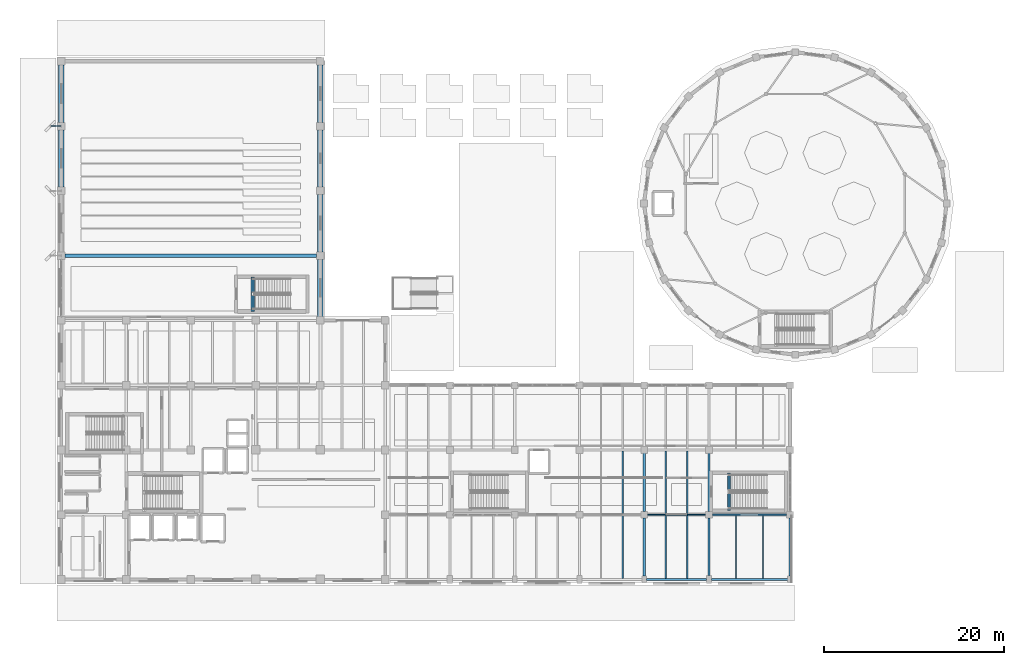
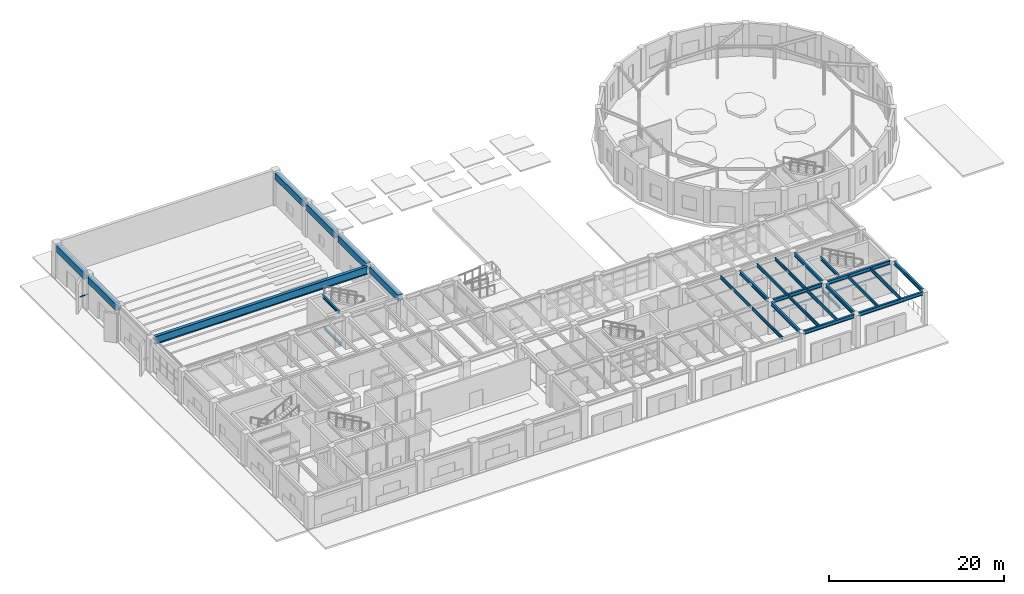
# One storey, part 15 of 39: 30 beams, 1 member.
"""IFC4 building model written with IfcOpenShell, lengths in metres."""

from ifc_helpers import new_model, si_unit, direction, frame, origin, origin_2d, place, context, subcontext, project, spatial, rectangle, hollow_rectangle, i_section, extrude, material, material_profile, profile_set, type_object, element, save


model = new_model("IFC4")

# Units and contexts
model_context = context("Model", 3, precision=1e-05, world=origin(), true_north=direction((0.0, 1.0)))
body_context = subcontext(model_context, "Body", "Model", "MODEL_VIEW")
ifc_project = project(units=[si_unit("LENGTHUNIT", "METRE"), si_unit("AREAUNIT", "SQUARE_METRE"), si_unit("VOLUMEUNIT", "CUBIC_METRE"), si_unit("PLANEANGLEUNIT", "RADIAN"), si_unit("MASSUNIT", "GRAM", prefix="KILO")], contexts=[model_context])

# Site, building, storey
site_placement = place(None, origin())
site = spatial("IfcSite", under=ifc_project, at=site_placement, CompositionType="ELEMENT")
building_placement = place(site_placement, origin())
building = spatial("IfcBuilding", under=site, at=building_placement, Name="Kandorven Conservatory and Botanical Research Centre", CompositionType="ELEMENT")
storey_placement = place(building_placement, origin())
storey = spatial("IfcBuildingStorey", under=building, at=storey_placement, Name="L00", CompositionType="ELEMENT", Elevation=0.0)

# Beams
ifc_material_1 = material(Name="Concrete C40/50 (M50)", Category="concrete")
ifc_material_profile_1 = material_profile(ifc_material_1, rectangle(XDim=0.60009765625, YDim=0.89990234375, at=origin_2d()))
ifc_profile_set_1 = profile_set([ifc_material_profile_1], Name="Concrete C40/50 (M50)")
beam_type_1 = type_object("IfcBeamType", Name="Beam_CG-03", PredefinedType="SPANDREL", material=ifc_profile_set_1)
for number, where, z_axis, x_axis, name in (
    (1, (6.0, 49.614990234375, 4.10009765625), (0.0, 1.0, 0.0), (-1.0, 0.0, 0.0), "Auditorium longitudinal edge beam CG-03 L00"),
    (2, (6.0, 56.81494140625, 4.10009765625), (0.0, 1.0, 0.0), (-1.0, 0.0, 0.0), "Auditorium longitudinal edge beam CG-03 L00"),
):
    element("IfcBeam", number, at=place(storey_placement, frame(where, z_axis=z_axis, x_axis=x_axis)), inside=storey, type_object=beam_type_1, Name=name, PredefinedType="SPANDREL", context=body_context, shape_type="SweptSolid", body=[
        extrude(rectangle(XDim=0.60009765625, YDim=0.89990234375, at=origin_2d()), origin(), (0.0, 0.0, 1.0), 6.3701171875),
    ])
beam_1_placement = place(storey_placement, frame((34.800048828125, 35.159912109375, 4.10009765625), z_axis=(0.0, 1.0, 0.0), x_axis=(-1.0, 0.0, 0.0)))
element("IfcBeam", 3, at=beam_1_placement, inside=storey, type_object=beam_type_1, Name="Auditorium longitudinal edge beam CG-03 L00", PredefinedType="SPANDREL", context=body_context, shape_type="SweptSolid", body=[
    extrude(rectangle(XDim=0.60009765625, YDim=0.89990234375, at=origin_2d()), origin(), (0.0, 0.0, 1.0), 6.425048828125),
])
beam_2_placement = place(storey_placement, frame((34.800048828125, 42.4150390625, 4.10009765625), z_axis=(0.0, 1.0, 0.0), x_axis=(-1.0, 0.0, 0.0)))
element("IfcBeam", 4, at=beam_2_placement, inside=storey, type_object=beam_type_1, Name="Auditorium longitudinal edge beam CG-03 L00", PredefinedType="SPANDREL", context=body_context, shape_type="SweptSolid", body=[
    extrude(rectangle(XDim=0.60009765625, YDim=0.89990234375, at=origin_2d()), origin(), (0.0, 0.0, 1.0), 6.369873046875),
])
for number, where, z_axis, x_axis, name in (
    (5, (34.800048828125, 49.614990234375, 4.10009765625), (0.0, 1.0, 0.0), (-1.0, 0.0, 0.0), "Auditorium longitudinal edge beam CG-03 L00"),
    (6, (34.800048828125, 56.81494140625, 4.10009765625), (0.0, 1.0, 0.0), (-1.0, 0.0, 0.0), "Auditorium longitudinal edge beam CG-03 L00"),
):
    element("IfcBeam", number, at=place(storey_placement, frame(where, z_axis=z_axis, x_axis=x_axis)), inside=storey, type_object=beam_type_1, Name=name, PredefinedType="SPANDREL", context=body_context, shape_type="SweptSolid", body=[
        extrude(rectangle(XDim=0.60009765625, YDim=0.89990234375, at=origin_2d()), origin(), (0.0, 0.0, 1.0), 6.3701171875),
    ])
ifc_material_2 = material(Name="Steel S355 (IS 2062 E350)", Category="steel")
ifc_material_profile_2 = material_profile(ifc_material_2, i_section(OverallWidth=0.25, OverallDepth=0.5, WebThickness=0.010009765625, FlangeThickness=0.0146484375, at=origin_2d()))
ifc_profile_set_2 = profile_set([ifc_material_profile_2], Name="Steel S355 (IS 2062 E350)")
beam_type_2 = type_object("IfcBeamType", Name="Beam_FG-02", PredefinedType="USERDEFINED", material=ifc_profile_set_2)
beam_3_placement = place(storey_placement, frame((71.0400390625, 6.0, 4.22998046875), z_axis=(1.0, 0.0, 0.0), x_axis=(0.0, 1.0, 0.0)))
element("IfcBeam", 7, at=beam_3_placement, inside=storey, type_object=beam_type_2, Name="Primary girder FG-02 VIS L00", ObjectType="GIRDER", PredefinedType="USERDEFINED", context=body_context, shape_type="SweptSolid", body=[
    extrude(i_section(OverallWidth=0.25, OverallDepth=0.5, WebThickness=0.010009765625, FlangeThickness=0.0146484375, at=origin_2d()), origin(), (0.0, 0.0, 1.0), 6.669921875),
])
beam_4_placement = place(storey_placement, frame((78.2900390625, 6.0, 4.22998046875), z_axis=(1.0, 0.0, 0.0), x_axis=(0.0, 1.0, 0.0)))
element("IfcBeam", 8, at=beam_4_placement, inside=storey, type_object=beam_type_2, Name="Primary girder FG-02 VIS L00", ObjectType="GIRDER", PredefinedType="USERDEFINED", context=body_context, shape_type="SweptSolid", body=[
    extrude(i_section(OverallWidth=0.25, OverallDepth=0.5, WebThickness=0.010009765625, FlangeThickness=0.0146484375, at=origin_2d()), origin(), (0.0, 0.0, 1.0), 8.469970703125),
])
beam_5_placement = place(storey_placement, frame((71.1650390625, 13.199951171875, 4.22998046875), z_axis=(1.0, 0.0, 0.0), x_axis=(0.0, 1.0, 0.0)))
element("IfcBeam", 9, at=beam_5_placement, inside=storey, type_object=beam_type_2, Name="Primary girder FG-02 VIS L00", ObjectType="GIRDER", PredefinedType="USERDEFINED", context=body_context, shape_type="SweptSolid", body=[
    extrude(i_section(OverallWidth=0.25, OverallDepth=0.5, WebThickness=0.010009765625, FlangeThickness=0.0146484375, at=origin_2d()), origin(), (0.0, 0.0, 1.0), 6.469970703125),
])
beam_6_placement = place(storey_placement, frame((78.364990234375, 13.199951171875, 4.22998046875), z_axis=(1.0, 0.0, 0.0), x_axis=(0.0, 1.0, 0.0)))
element("IfcBeam", 10, at=beam_6_placement, inside=storey, type_object=beam_type_2, Name="Primary girder FG-02 VIS L00", ObjectType="GIRDER", PredefinedType="USERDEFINED", context=body_context, shape_type="SweptSolid", body=[
    extrude(i_section(OverallWidth=0.25, OverallDepth=0.5, WebThickness=0.010009765625, FlangeThickness=0.0146484375, at=origin_2d()), origin(), (0.0, 0.0, 1.0), 8.27001953125),
])
for number, where, z_axis, x_axis, name in (
    (11, (70.800048828125, 6.364990234375, 4.22998046875), (0.0, 1.0, 0.0), (-1.0, 0.0, 0.0), "Primary girder FG-02 VIS L00"),
    (12, (70.800048828125, 13.56494140625, 4.22998046875), (0.0, 1.0, 0.0), (-1.0, 0.0, 0.0), "Primary girder FG-02 VIS L00"),
):
    element("IfcBeam", number, at=place(storey_placement, frame(where, z_axis=z_axis, x_axis=x_axis)), inside=storey, type_object=beam_type_2, Name=name, ObjectType="GIRDER", PredefinedType="USERDEFINED", context=body_context, shape_type="SweptSolid", body=[
        extrude(i_section(OverallWidth=0.25, OverallDepth=0.5, WebThickness=0.010009765625, FlangeThickness=0.0146484375, at=origin_2d()), origin(), (0.0, 0.0, 1.0), 6.469970703125),
    ])
beam_7_placement = place(storey_placement, frame((78.0, 6.43994140625, 4.22998046875), z_axis=(0.0, 1.0, 0.0), x_axis=(-1.0, 0.0, 0.0)))
element("IfcBeam", 13, at=beam_7_placement, inside=storey, type_object=beam_type_2, Name="Primary girder FG-02 VIS L00", ObjectType="GIRDER", PredefinedType="USERDEFINED", context=body_context, shape_type="SweptSolid", body=[
    extrude(i_section(OverallWidth=0.25, OverallDepth=0.5, WebThickness=0.010009765625, FlangeThickness=0.0146484375, at=origin_2d()), origin(), (0.0, 0.0, 1.0), 6.39501953125),
])
for number, where, z_axis, x_axis, name in (
    (14, (78.0, 13.56494140625, 4.22998046875), (0.0, 1.0, 0.0), (-1.0, 0.0, 0.0), "Primary girder FG-02 VIS L00"),
    (15, (87.0, 6.364990234375, 4.22998046875), (0.0, 1.0, 0.0), (-1.0, 0.0, 0.0), "Primary girder FG-02 VIS L00"),
):
    element("IfcBeam", number, at=place(storey_placement, frame(where, z_axis=z_axis, x_axis=x_axis)), inside=storey, type_object=beam_type_2, Name=name, ObjectType="GIRDER", PredefinedType="USERDEFINED", context=body_context, shape_type="SweptSolid", body=[
        extrude(i_section(OverallWidth=0.25, OverallDepth=0.5, WebThickness=0.010009765625, FlangeThickness=0.0146484375, at=origin_2d()), origin(), (0.0, 0.0, 1.0), 6.469970703125),
    ])
ifc_material_3 = material(Name="Steel S355 (IS 2062 E350)", Category="steel")
ifc_material_profile_3 = material_profile(ifc_material_3, i_section(OverallWidth=0.199951171875, OverallDepth=0.39990234375, WebThickness=0.008544921875, FlangeThickness=0.012939453125, at=origin_2d()))
ifc_profile_set_3 = profile_set([ifc_material_profile_3], Name="Steel S355 (IS 2062 E350)")
beam_type_3 = type_object("IfcBeamType", Name="Beam_FG-03", PredefinedType="USERDEFINED", material=ifc_profile_set_3)
for number, where, z_axis, x_axis, name in (
    (16, (80.320068359375, 13.64990234375, -0.199951171875), (0.0, 1.0, 0.0), (-1.0, 0.0, 0.0), "Stair well bottom trimmer girder FG-03 ST-V3B L00"),
    (17, (80.139892578125, 13.64990234375, 4.280029296875), (0.0, 1.0, 0.0), (-1.0, 0.0, 0.0), "Stair well top header girder FG-03 ST-V3B L00"),
):
    element("IfcBeam", number, at=place(storey_placement, frame(where, z_axis=z_axis, x_axis=x_axis)), inside=storey, type_object=beam_type_3, Name=name, ObjectType="GIRDER", PredefinedType="USERDEFINED", context=body_context, shape_type="SweptSolid", body=[
        extrude(i_section(OverallWidth=0.199951171875, OverallDepth=0.39990234375, WebThickness=0.008544921875, FlangeThickness=0.012939453125, at=origin_2d()), origin(), (0.0, 0.0, 1.0), 4.190185546875),
    ])
for number, where, z_axis, x_axis, name in (
    (18, (27.3798828125, 35.800048828125, -0.199951171875), (0.0, 1.0, 0.0), (-1.0, 0.0, 0.0), "Stair well bottom trimmer girder FG-03 ST-V2 L00"),
    (19, (27.199951171875, 35.800048828125, 4.280029296875), (0.0, 1.0, 0.0), (-1.0, 0.0, 0.0), "Stair well top header girder FG-03 ST-V2 L00"),
):
    element("IfcBeam", number, at=place(storey_placement, frame(where, z_axis=z_axis, x_axis=x_axis)), inside=storey, type_object=beam_type_3, Name=name, ObjectType="GIRDER", PredefinedType="USERDEFINED", context=body_context, shape_type="SweptSolid", body=[
        extrude(i_section(OverallWidth=0.199951171875, OverallDepth=0.39990234375, WebThickness=0.008544921875, FlangeThickness=0.012939453125, at=origin_2d()), origin(), (0.0, 0.0, 1.0), 3.849853515625),
    ])
ifc_material_4 = material(Name="Steel S355 (IS 2062 E350)", Category="steel")
ifc_material_profile_4 = material_profile(ifc_material_4, hollow_rectangle(XDim=0.10009765625, YDim=0.199951171875, WallThickness=0.008056640625, at=origin_2d()))
ifc_profile_set_4 = profile_set([ifc_material_profile_4], Name="Steel S355 (IS 2062 E350)")
beam_type_4 = type_object("IfcBeamType", Name="Beam_LN-01", PredefinedType="LINTEL", material=ifc_profile_set_4)
beam_8_placement = place(storey_placement, frame((71.175048828125, 13.199951171875, 2.75), z_axis=(1.0, 0.0, 0.0), x_axis=(0.0, 1.0, 0.0)))
element("IfcBeam", 20, at=beam_8_placement, inside=storey, type_object=beam_type_4, Name="Column-to-column opening transom lintel LN-01 L00-5-1", PredefinedType="LINTEL", context=body_context, shape_type="SweptSolid", body=[
    extrude(hollow_rectangle(XDim=0.10009765625, YDim=0.199951171875, WallThickness=0.008056640625, at=origin_2d()), origin(), (0.0, 0.0, 1.0), 6.449951171875),
])
beam_9_placement = place(storey_placement, frame((78.375, 13.199951171875, 2.75), z_axis=(1.0, 0.0, 0.0), x_axis=(0.0, 1.0, 0.0)))
element("IfcBeam", 21, at=beam_9_placement, inside=storey, type_object=beam_type_4, Name="Column-to-column opening transom lintel LN-01 L00-6-1", PredefinedType="LINTEL", context=body_context, shape_type="SweptSolid", body=[
    extrude(hollow_rectangle(XDim=0.10009765625, YDim=0.199951171875, WallThickness=0.008056640625, at=origin_2d()), origin(), (0.0, 0.0, 1.0), 8.25),
])
ifc_material_5 = material(Name="Steel S355 (IS 2062 E350)", Category="steel")
ifc_material_profile_5 = material_profile(ifc_material_5, i_section(OverallWidth=0.3798828125, OverallDepth=1.10009765625, WebThickness=0.02001953125, FlangeThickness=0.031982421875, at=origin_2d()))
ifc_profile_set_5 = profile_set([ifc_material_profile_5], Name="Steel S355 (IS 2062 E350)")
beam_type_5 = type_object("IfcBeamType", Name="Beam_PG-01", PredefinedType="USERDEFINED", material=ifc_profile_set_5)
beam_10_placement = place(storey_placement, frame((6.4150390625, 42.0, 4.0), z_axis=(1.0, 0.0, 0.0), x_axis=(0.0, 1.0, 0.0)))
element("IfcBeam", 22, at=beam_10_placement, inside=storey, type_object=beam_type_5, Name="Auditorium balcony clear-span girder PG-01", ObjectType="GIRDER", PredefinedType="USERDEFINED", context=body_context, shape_type="SweptSolid", body=[
    extrude(i_section(OverallWidth=0.3798828125, OverallDepth=1.10009765625, WebThickness=0.02001953125, FlangeThickness=0.031982421875, at=origin_2d()), origin(), (0.0, 0.0, 1.0), 27.969970703125),
])
ifc_material_6 = material(Name="Steel S355 (IS 2062 E350)", Category="steel")
ifc_material_profile_6 = material_profile(ifc_material_6, i_section(OverallWidth=0.14990234375, OverallDepth=0.449951171875, WebThickness=0.009521484375, FlangeThickness=0.017333984375, at=origin_2d()))
ifc_profile_set_6 = profile_set([ifc_material_profile_6], Name="Steel S355 (IS 2062 E350)")
beam_type_6 = type_object("IfcBeamType", Name="Beam_SB-04", PredefinedType="BEAM", material=ifc_profile_set_6)
for number, where, z_axis, x_axis, name in (
    (23, (68.39990234375, 6.110107421875, 4.2548828125), (0.0, 1.0, 0.0), (-1.0, 0.0, 0.0), "Composite secondary beam SB-04 VIS L00"),
    (24, (68.39990234375, 13.31005859375, 4.2548828125), (0.0, 1.0, 0.0), (-1.0, 0.0, 0.0), "Composite secondary beam SB-04 VIS L00"),
    (25, (73.199951171875, 6.110107421875, 4.2548828125), (0.0, 1.0, 0.0), (-1.0, 0.0, 0.0), "Composite secondary beam SB-04 VIS L00"),
    (26, (75.60009765625, 6.110107421875, 4.2548828125), (0.0, 1.0, 0.0), (-1.0, 0.0, 0.0), "Composite secondary beam SB-04 VIS L00"),
    (27, (73.199951171875, 13.31005859375, 4.2548828125), (0.0, 1.0, 0.0), (-1.0, 0.0, 0.0), "Composite secondary beam SB-04 VIS L00"),
    (28, (75.60009765625, 13.31005859375, 4.2548828125), (0.0, 1.0, 0.0), (-1.0, 0.0, 0.0), "Composite secondary beam SB-04 VIS L00"),
    (29, (81.0, 6.110107421875, 4.2548828125), (0.0, 1.0, 0.0), (-1.0, 0.0, 0.0), "Composite secondary beam SB-04 VIS L00"),
    (30, (84.0, 6.110107421875, 4.2548828125), (0.0, 1.0, 0.0), (-1.0, 0.0, 0.0), "Composite secondary beam SB-04 VIS L00"),
):
    element("IfcBeam", number, at=place(storey_placement, frame(where, z_axis=z_axis, x_axis=x_axis)), inside=storey, type_object=beam_type_6, Name=name, PredefinedType="BEAM", context=body_context, shape_type="SweptSolid", body=[
        extrude(i_section(OverallWidth=0.14990234375, OverallDepth=0.449951171875, WebThickness=0.009521484375, FlangeThickness=0.017333984375, at=origin_2d()), origin(), (0.0, 0.0, 1.0), 6.97998046875),
    ])

# Member
ifc_material_7 = material(Name="Steel S355 (IS 2062 E350)", Category="steel")
ifc_material_profile_7 = material_profile(ifc_material_7, hollow_rectangle(XDim=0.074951171875, YDim=0.14990234375, WallThickness=0.006103515625, at=origin_2d()))
ifc_profile_set_7 = profile_set([ifc_material_profile_7], Name="Steel S355 (IS 2062 E350)")
member_type = type_object("IfcMemberType", Name="Mem_SF-01", PredefinedType="STRUT", material=ifc_profile_set_7)
member_placement = place(storey_placement, frame((6.0, 56.39990234375, 1.800048828125), z_axis=(-1.0, 0.0, 0.0), x_axis=(0.0, -1.0, 0.0)))
element("IfcMember", 31, at=member_placement, inside=storey, type_object=member_type, Name="Auditorium fin steel strut SF-01 #3", PredefinedType="STRUT", context=body_context, shape_type="SweptSolid", body=[
    extrude(hollow_rectangle(XDim=0.074951171875, YDim=0.14990234375, WallThickness=0.006103515625, at=origin_2d()), origin(), (0.0, 0.0, 1.0), 1.219970703125),
])

save(model, "model.ifc")
